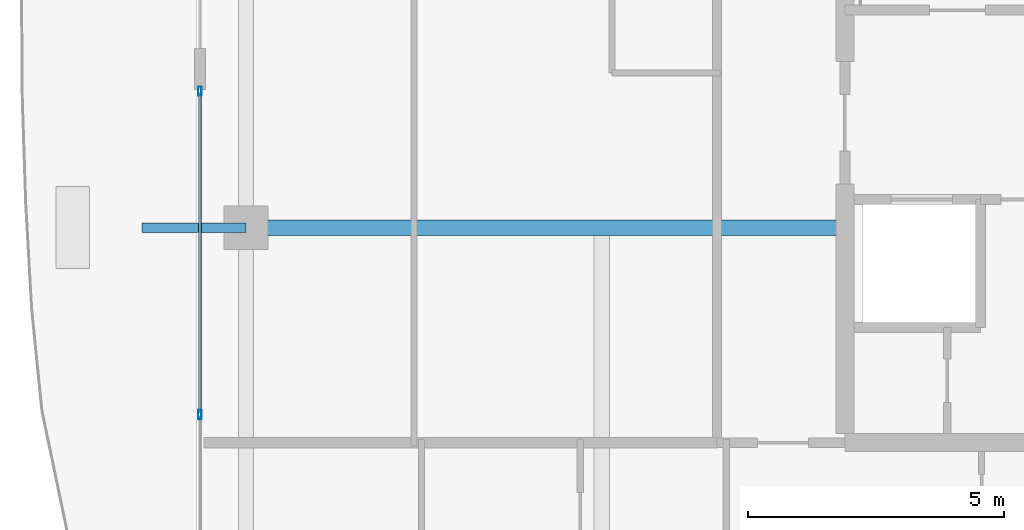
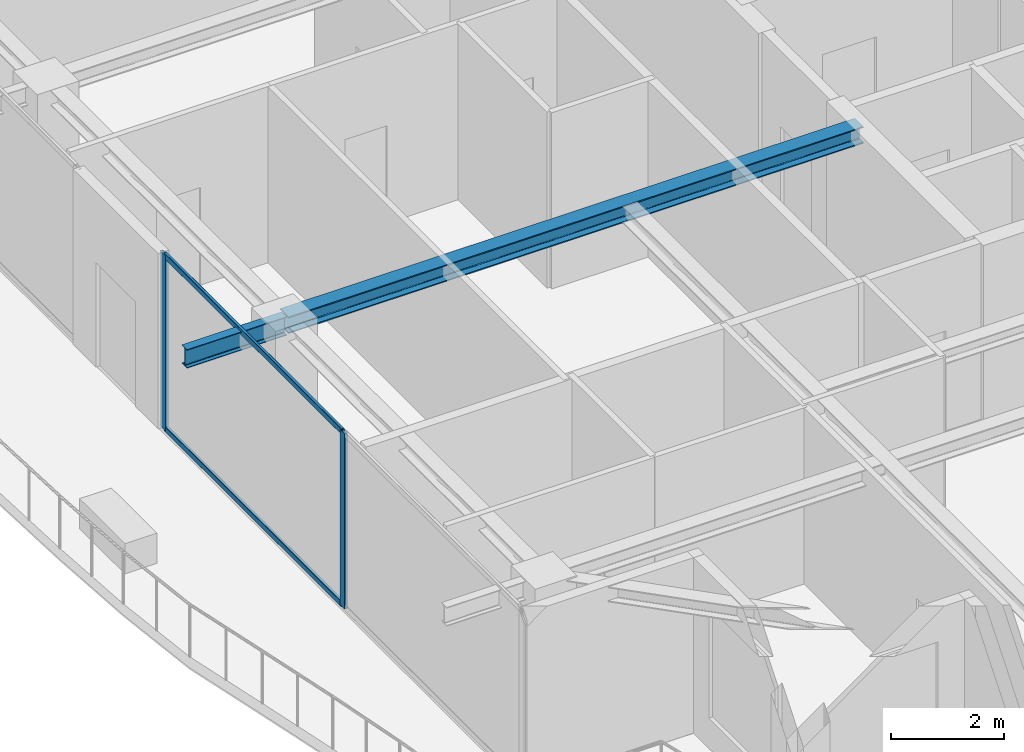
# One storey, part 7 of 36: 4 members, 2 beams, 1 element without a shape of its own.
"""IFC4 building model written with IfcOpenShell, lengths in metres."""

from ifc_helpers import new_model, si_unit, direction, frame, origin, origin_2d, place, context, subcontext, project, spatial, hollow_rectangle, i_section, extrude, source, transform, mapped, material, layer, layer_set, material_profile, profile_set, type_object, element, aggregate, save


model = new_model("IFC4")

# Units and contexts
model_context = context("Model", 3, precision=1e-05, world=origin(), true_north=direction((0.0, 1.0)))
body_context = subcontext(model_context, "Body", "Model", "MODEL_VIEW")
ifc_project = project(units=[si_unit("LENGTHUNIT", "METRE"), si_unit("AREAUNIT", "SQUARE_METRE"), si_unit("VOLUMEUNIT", "CUBIC_METRE"), si_unit("PLANEANGLEUNIT", "RADIAN"), si_unit("MASSUNIT", "GRAM", prefix="KILO")], contexts=[model_context])

# Site, building, storey
site_placement = place(None, origin())
site = spatial("IfcSite", under=ifc_project, at=site_placement, CompositionType="ELEMENT")
building_placement = place(site_placement, origin())
building = spatial("IfcBuilding", under=site, at=building_placement, Name="Serunith Strait Residences", CompositionType="ELEMENT")
storey_placement = place(building_placement, frame((0.0, 0.0, 338.0)))
storey = spatial("IfcBuildingStorey", under=building, at=storey_placement, Name="L84", CompositionType="ELEMENT", Elevation=338.0)

# Beams
ifc_material_1 = material(Name="Steel S355J2", Category="steel")
ifc_material_profile_1 = material_profile(ifc_material_1, i_section(OverallWidth=0.300048828125, OverallDepth=0.360107421875, WebThickness=0.012451171875, FlangeThickness=0.0224609375, FilletRadius=0.027099609375, at=origin_2d()), Name="HEB 360")
ifc_profile_set_1 = profile_set([ifc_material_profile_1], Name="Steel S355J2")
beam_type_1 = type_object("IfcBeamType", Name="BM-HEB360", PredefinedType="BEAM", material=ifc_profile_set_1)
shared_shape_1 = source(origin(), body_context, "Body", "SweptSolid", [
    extrude(i_section(OverallWidth=0.300048828125, OverallDepth=0.360107421875, WebThickness=0.012451171875, FlangeThickness=0.0224609375, FilletRadius=0.027099609375, at=origin_2d()), origin(), (0.0, 0.0, 1.0), 11.699951171875),
])
beam_1_placement = place(storey_placement, frame((23.39990234375, 21.0, 3.60693359375), z_axis=(-1.0, 0.0, 0.0), x_axis=(0.0, -1.0, 0.0)))
element("IfcBeam", 1, at=beam_1_placement, inside=storey, type_object=beam_type_1, Name="L84 Primary Floor Girder TC-W2", PredefinedType="BEAM", context=body_context, shape_type="MappedRepresentation", body=[
    mapped(shared_shape_1, transform((0.0, 0.0, 0.0), scale=1.0)),
])
ifc_material_profile_2 = material_profile(ifc_material_1, i_section(OverallWidth=0.179931640625, OverallDepth=0.39990234375, WebThickness=0.008544921875, FlangeThickness=0.013427734375, FilletRadius=0.02099609375, at=origin_2d()), Name="IPE 400")
ifc_profile_set_2 = profile_set([ifc_material_profile_2], Name="Steel S355J2")
beam_type_2 = type_object("IfcBeamType", Name="BM-IPE400", PredefinedType="JOIST", material=ifc_profile_set_2)
shared_shape_2 = source(origin(), body_context, "Body", "SweptSolid", [
    extrude(i_section(OverallWidth=0.179931640625, OverallDepth=0.39990234375, WebThickness=0.008544921875, FlangeThickness=0.013427734375, FilletRadius=0.02099609375, at=origin_2d()), origin(), (0.0, 0.0, 1.0), 2.030029296875),
])
beam_2_placement = place(storey_placement, frame((11.699951171875, 21.0, 3.556884765625), z_axis=(-1.0, 0.0, 0.0), x_axis=(0.0, -1.0, 0.0)))
element("IfcBeam", 2, at=beam_2_placement, inside=storey, type_object=beam_type_2, Name="L85 Cantilevered Balcony Rib TC-W2", PredefinedType="JOIST", context=body_context, shape_type="MappedRepresentation", body=[
    mapped(shared_shape_2, transform((0.0, 0.0, 0.0), scale=1.0)),
])

# Curtain wall, members
ifc_material_2 = material(Name="Brushed Stainless-Silver Aluminium", Category="aluminium")
ifc_layer = layer(ifc_material_2, 0.199951171875, Name="Brushed Stainless-Silver Aluminium")
ifc_layer_set = layer_set([ifc_layer], Name="Brushed Stainless-Silver Aluminium")
curtain_wall_type = type_object("IfcCurtainWallType", Name="CW-SYS5", PredefinedType="NOTDEFINED", material=ifc_layer_set)
curtain_wall_placement = place(storey_placement, origin())
curtain_wall = element("IfcCurtainWall", 3, at=curtain_wall_placement, inside=storey, type_object=curtain_wall_type, Name="L84 W Unitised Fritted Curtain Wall", PredefinedType="NOTDEFINED")
ifc_material_profile_3 = material_profile(ifc_material_2, hollow_rectangle(XDim=0.06494140625, YDim=0.179931640625, WallThickness=0.00341796875, InnerFilletRadius=0.00537109375, OuterFilletRadius=0.0087890625, at=origin_2d()), Name="ALU 180x65x3.5")
ifc_profile_set_3 = profile_set([ifc_material_profile_3], Name="Brushed Stainless-Silver Aluminium")
member_type_1 = type_object("IfcMemberType", Name="CW-SYS5-MULL", PredefinedType="MULLION", material=ifc_profile_set_3)
shared_shape_3 = source(origin(), body_context, "Body", "SweptSolid", [
    extrude(hollow_rectangle(XDim=0.06494140625, YDim=0.179931640625, WallThickness=0.00341796875, InnerFilletRadius=0.00537109375, OuterFilletRadius=0.0087890625, at=origin_2d()), origin(), (0.0, 0.0, 1.0), 3.77490234375),
])
member_1_placement = place(storey_placement, frame((10.800048828125, 23.66748046875, 0.0), z_axis=(0.0, 0.0, 1.0), x_axis=(1.0, 0.0, 0.0)))
member_1 = element("IfcMember", 4, at=member_1_placement, type_object=member_type_1, Name="CW-5 mullion 1", PredefinedType="MULLION", context=body_context, shape_type="MappedRepresentation", body=[
    mapped(shared_shape_3, transform((0.0, 0.0, 0.0), scale=1.0)),
])
member_2_placement = place(storey_placement, frame((10.800048828125, 17.35009765625, 0.0), z_axis=(0.0, 0.0, 1.0), x_axis=(1.0, 0.0, 0.0)))
member_2 = element("IfcMember", 5, at=member_2_placement, type_object=member_type_1, Name="CW-5 mullion 2", PredefinedType="MULLION", context=body_context, shape_type="MappedRepresentation", body=[
    mapped(shared_shape_3, transform((0.0, 0.0, 0.0), scale=1.0)),
])
ifc_material_profile_4 = material_profile(ifc_material_2, hollow_rectangle(XDim=0.06005859375, YDim=0.1201171875, WallThickness=0.00341796875, InnerFilletRadius=0.00537109375, OuterFilletRadius=0.0087890625, at=origin_2d()), Name="ALU 120x60x3.5")
ifc_profile_set_4 = profile_set([ifc_material_profile_4], Name="Brushed Stainless-Silver Aluminium")
member_type_2 = type_object("IfcMemberType", Name="CW-SYS5-TRAN", PredefinedType="USERDEFINED", material=ifc_profile_set_4)
shared_shape_4 = source(origin(), body_context, "Body", "SweptSolid", [
    extrude(hollow_rectangle(XDim=0.06005859375, YDim=0.1201171875, WallThickness=0.00341796875, InnerFilletRadius=0.00537109375, OuterFilletRadius=0.0087890625, at=origin_2d()), origin(), (0.0, 0.0, 1.0), 6.25244140625),
])
member_3_placement = place(storey_placement, frame((10.800048828125, 23.635009765625, 0.030029296875), z_axis=(0.0, -1.0, 0.0), x_axis=(1.0, 0.0, 0.0)))
member_3 = element("IfcMember", 6, at=member_3_placement, type_object=member_type_2, Name="CW-5 transom 1.1", ObjectType="TRANSOM", PredefinedType="USERDEFINED", context=body_context, shape_type="MappedRepresentation", body=[
    mapped(shared_shape_4, transform((0.0, 0.0, 0.0), scale=1.0)),
])
member_4_placement = place(storey_placement, frame((10.800048828125, 23.635009765625, 3.7451171875), z_axis=(0.0, -1.0, 0.0), x_axis=(1.0, 0.0, 0.0)))
member_4 = element("IfcMember", 7, at=member_4_placement, type_object=member_type_2, Name="CW-5 transom 1.2", ObjectType="TRANSOM", PredefinedType="USERDEFINED", context=body_context, shape_type="MappedRepresentation", body=[
    mapped(shared_shape_4, transform((0.0, 0.0, 0.0), scale=1.0)),
])
aggregate(curtain_wall, [member_1, member_2, member_3, member_4])

save(model, "model.ifc")
